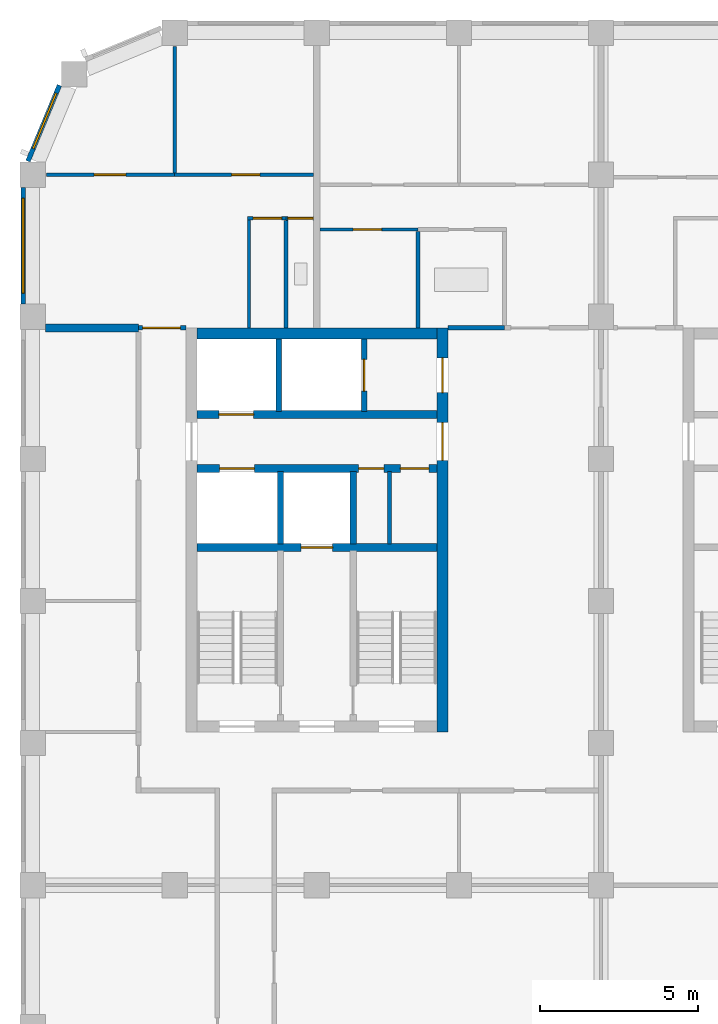
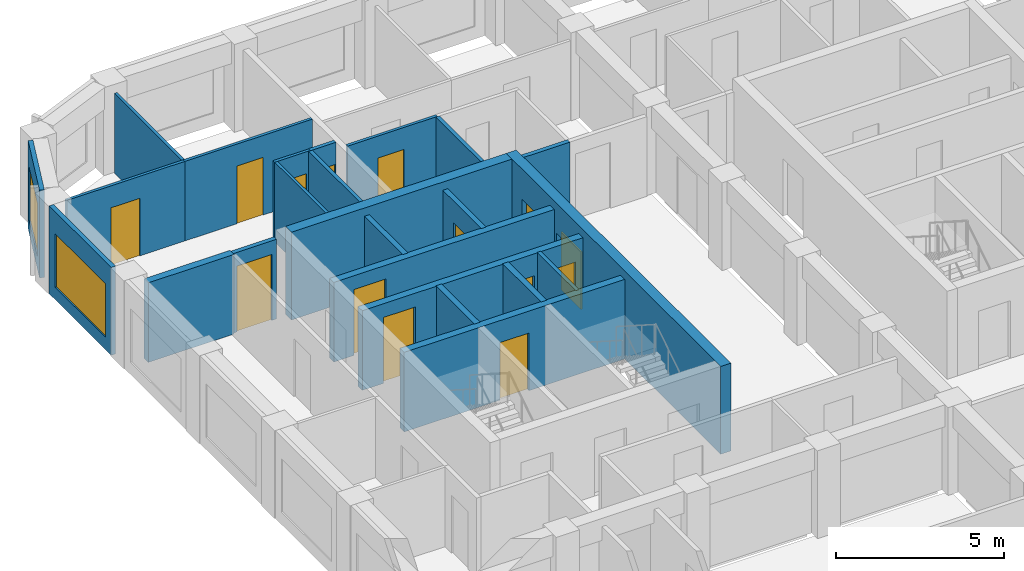
# One storey, part 5 of 9: 24 walls, 14 doors, 2 windows, 16 openings.
"""IFC4 building model written with IfcOpenShell, lengths in metres."""

from ifc_helpers import new_model, si_unit, direction, frame, frame_2d, origin, place, context, subcontext, project, spatial, rectangle, extrude, material, layer, layer_set, type_object, element, fill, save


model = new_model("IFC4")

# Units and contexts
model_context = context("Model", 3, precision=1e-05, world=origin(), true_north=direction((0.0, 1.0)))
body_context = subcontext(model_context, "Body", "Model", "MODEL_VIEW")
ifc_project = project(units=[si_unit("LENGTHUNIT", "METRE"), si_unit("AREAUNIT", "SQUARE_METRE"), si_unit("VOLUMEUNIT", "CUBIC_METRE"), si_unit("PLANEANGLEUNIT", "RADIAN"), si_unit("MASSUNIT", "GRAM", prefix="KILO")], contexts=[model_context])

# Site, building, storey
site_placement = place(None, origin())
site = spatial("IfcSite", under=ifc_project, at=site_placement, CompositionType="ELEMENT")
building_placement = place(site_placement, origin())
building = spatial("IfcBuilding", under=site, at=building_placement, Name="Girih Gate Residences", CompositionType="ELEMENT")
storey_placement = place(building_placement, frame((0.0, 0.0, 206.89501953125)))
storey = spatial("IfcBuildingStorey", under=building, at=storey_placement, Name="L57", CompositionType="ELEMENT", Elevation=206.89501953125)

# Wall
ifc_material_1 = material(Name="Gypsum board on steel studs", Category="steel")
ifc_layer_1 = layer(ifc_material_1, 0.25)
ifc_layer_set_1 = layer_set([ifc_layer_1], Name="Acoustic separating wall 250 mm")
wall_type_1 = type_object("IfcWallType", Name="Acoustic separating wall 250 mm", PredefinedType="PARTITIONING", material=ifc_layer_set_1)
wall_1_placement = place(storey_placement, frame((0.39990234375, 40.14990234375, 0.0), z_axis=(0.0, 0.0, 1.0), x_axis=(1.0, 0.0, 0.0)))
element("IfcWall", 1, at=wall_1_placement, inside=storey, type_object=wall_type_1, Name="L57 partition", PredefinedType="PARTITIONING", context=body_context, shape_type="SweptSolid", body=[
    extrude(rectangle(XDim=2.9501953125, YDim=0.25, at=frame_2d((1.47509765625, 0.0))), origin(), (0.0, 0.0, 1.0), 2.89990234375),
])

# Wall, opening, door
ifc_layer_2 = layer(ifc_material_1, 0.14990234375)
ifc_layer_set_2 = layer_set([ifc_layer_2], Name="Compartment wall 150 mm")
wall_type_2 = type_object("IfcWallType", Name="Compartment wall 150 mm", PredefinedType="PARTITIONING", material=ifc_layer_set_2)
wall_2_placement = place(storey_placement, frame((3.35009765625, 40.14990234375, 0.0), z_axis=(0.0, 0.0, 1.0), x_axis=(1.0, 0.0, 0.0)))
wall_2 = element("IfcWall", 2, at=wall_2_placement, inside=storey, type_object=wall_type_2, Name="L57 partition", PredefinedType="PARTITIONING", context=body_context, shape_type="SweptSolid", body=[
    extrude(rectangle(XDim=1.5, YDim=0.14990234375, at=frame_2d((0.75, 0.0))), origin(), (0.0, 0.0, 1.0), 2.89990234375),
])
opening_1_placement = place(wall_2_placement, frame((0.1298828125, 0.0, 0.0)))
opening_1 = element("IfcOpeningElement", 3, at=opening_1_placement, cuts=wall_2, Name="Opening A57-011", PredefinedType="OPENING", context=body_context, shape_type="SweptSolid", body=[
    extrude(rectangle(XDim=1.199951171875, YDim=2.39990234375, at=frame_2d((0.60009765625, 1.199951171875))), frame((0.0, 0.0849609375, 0.0), z_axis=(0.0, -1.0, 0.0), x_axis=(1.0, 0.0, 0.0)), (0.0, 0.0, 1.0), 0.169921875),
])
ifc_material_2 = material(Name="Timber, fire-rated core", Category="wood")
door_type_1 = type_object("IfcDoorType", Name="Villa entrance door 1200x2400 FD30S", OperationType="NOTDEFINED", PredefinedType="DOOR", material=ifc_material_2)
door_1_placement = place(opening_1_placement, origin())
door_1 = element("IfcDoor", 4, at=door_1_placement, inside=storey, type_object=door_type_1, Name="Door A57-011", OperationType="SINGLE_SWING_LEFT", OverallHeight=2.39990234375, OverallWidth=1.199951171875, PredefinedType="DOOR", context=body_context, shape_type="SweptSolid", body=[
    extrude(rectangle(XDim=1.199951171875, YDim=2.39990234375, at=frame_2d((0.60009765625, 1.199951171875))), frame((0.0, 0.02490234375, 0.0), z_axis=(0.0, -1.0, 0.0), x_axis=(1.0, 0.0, 0.0)), (0.0, 0.0, 1.0), 0.050048828125),
])
fill(opening_1, door_1)

# Walls
wall_3_placement = place(storey_placement, frame((13.14990234375, 40.14990234375, 0.0), z_axis=(0.0, 0.0, 1.0), x_axis=(1.0, 0.0, 0.0)))
element("IfcWall", 5, at=wall_3_placement, inside=storey, type_object=wall_type_2, Name="L57 partition", PredefinedType="PARTITIONING", context=body_context, shape_type="SweptSolid", body=[
    extrude(rectangle(XDim=1.800048828125, YDim=0.14990234375, at=frame_2d((0.89990234375, 0.0))), origin(), (0.0, 0.0, 1.0), 2.89990234375),
])
ifc_material_3 = material(Name="Concrete C60/75", Category="concrete")
ifc_layer_3 = layer(ifc_material_3, 0.35009765625)
ifc_layer_set_3 = layer_set([ifc_layer_3], Name="Core wall RC 350 Concrete C60/75")
wall_type_3 = type_object("IfcWallType", Name="Core wall RC 350 Concrete C60/75", PredefinedType="SOLIDWALL", material=ifc_layer_set_3)
wall_4_placement = place(storey_placement, frame((5.199951171875, 39.97509765625, 0.0), z_axis=(0.0, 0.0, 1.0), x_axis=(1.0, 0.0, 0.0)))
element("IfcWall", 6, at=wall_4_placement, inside=storey, type_object=wall_type_3, Name="Core wall W-N L57", PredefinedType="SOLIDWALL", context=body_context, shape_type="SweptSolid", body=[
    extrude(rectangle(XDim=7.60009765625, YDim=0.35009765625, at=frame_2d((3.800048828125, 0.0))), origin(), (0.0, 0.0, 1.0), 3.199951171875),
])

# Wall, openings, doors
wall_5_placement = place(storey_placement, frame((12.97509765625, 27.35009765625, 0.0), z_axis=(0.0, 0.0, 1.0), x_axis=(0.0, 1.0, 0.0)))
wall_5 = element("IfcWall", 7, at=wall_5_placement, inside=storey, type_object=wall_type_3, Name="Core wall W-E L57", PredefinedType="SOLIDWALL", context=body_context, shape_type="SweptSolid", body=[
    extrude(rectangle(XDim=12.7998046875, YDim=0.35009765625, at=frame_2d((6.39990234375, 0.0))), origin(), (0.0, 0.0, 1.0), 3.199951171875),
])
opening_2_placement = place(wall_5_placement, frame((10.75, 0.0, 0.0)))
opening_2 = element("IfcOpeningElement", 8, at=opening_2_placement, cuts=wall_5, Name="Opening D-L57-W-012", PredefinedType="OPENING", context=body_context, shape_type="SweptSolid", body=[
    extrude(rectangle(XDim=1.10009765625, YDim=2.10009765625, at=frame_2d((0.550048828125, 1.050048828125))), frame((0.0, 0.18505859375, 0.0), z_axis=(0.0, -1.0, 0.0), x_axis=(1.0, 0.0, 0.0)), (0.0, 0.0, 1.0), 0.3701171875),
])
opening_3_placement = place(wall_5_placement, frame((8.60009765625, 0.0, 0.0)))
opening_3 = element("IfcOpeningElement", 9, at=opening_3_placement, cuts=wall_5, Name="Opening D-L57-W-014", PredefinedType="OPENING", context=body_context, shape_type="SweptSolid", body=[
    extrude(rectangle(XDim=1.199951171875, YDim=2.10009765625, at=frame_2d((0.60009765625, 1.050048828125))), frame((0.0, 0.18505859375, 0.0), z_axis=(0.0, -1.0, 0.0), x_axis=(1.0, 0.0, 0.0)), (0.0, 0.0, 1.0), 0.3701171875),
])
ifc_material_4 = material(Name="Painted steel, fire-resisting", Category="steel")
door_type_2 = type_object("IfcDoorType", Name="Fire door 1100x2100", OperationType="SINGLE_SWING_LEFT", PredefinedType="DOOR", material=ifc_material_4)
door_2_placement = place(opening_2_placement, origin())
door_2 = element("IfcDoor", 10, at=door_2_placement, inside=storey, type_object=door_type_2, Name="L57 W core door ffl2-e", OperationType="SINGLE_SWING_LEFT", OverallHeight=2.10009765625, OverallWidth=1.10009765625, PredefinedType="DOOR", context=body_context, shape_type="SweptSolid", body=[
    extrude(rectangle(XDim=1.10009765625, YDim=2.10009765625, at=frame_2d((0.550048828125, 1.050048828125))), frame((0.0, 0.02490234375, 0.0), z_axis=(0.0, -1.0, 0.0), x_axis=(1.0, 0.0, 0.0)), (0.0, 0.0, 1.0), 0.050048828125),
])
fill(opening_2, door_2)
door_type_3 = type_object("IfcDoorType", Name="Fire door 1200x2100", OperationType="SINGLE_SWING_LEFT", PredefinedType="DOOR", material=ifc_material_4)
door_3_placement = place(opening_3_placement, origin())
door_3 = element("IfcDoor", 11, at=door_3_placement, inside=storey, type_object=door_type_3, Name="L57 W core door ll-e", OperationType="SINGLE_SWING_LEFT", OverallHeight=2.10009765625, OverallWidth=1.199951171875, PredefinedType="DOOR", context=body_context, shape_type="SweptSolid", body=[
    extrude(rectangle(XDim=1.199951171875, YDim=2.10009765625, at=frame_2d((0.60009765625, 1.050048828125))), frame((0.0, 0.02490234375, 0.0), z_axis=(0.0, -1.0, 0.0), x_axis=(1.0, 0.0, 0.0)), (0.0, 0.0, 1.0), 0.050048828125),
])
fill(opening_3, door_3)

# Wall, opening, door
ifc_material_5 = material(Name="Concrete C40/50", Category="concrete")
ifc_layer_4 = layer(ifc_material_5, 0.25)
ifc_layer_set_4 = layer_set([ifc_layer_4], Name="Lift shaft wall 250")
wall_type_4 = type_object("IfcWallType", Name="Lift shaft wall 250", PredefinedType="SOLIDWALL", material=ifc_layer_set_4)
wall_6_placement = place(storey_placement, frame((5.199951171875, 33.199951171875, 0.0), z_axis=(0.0, 0.0, 1.0), x_axis=(1.0, 0.0, 0.0)))
wall_6 = element("IfcWall", 12, at=wall_6_placement, inside=storey, type_object=wall_type_4, Name="L57 W core wall H1", PredefinedType="SOLIDWALL", context=body_context, shape_type="SweptSolid", body=[
    extrude(rectangle(XDim=7.60009765625, YDim=0.25, at=frame_2d((3.800048828125, 0.0))), origin(), (0.0, 0.0, 1.0), 2.89990234375),
])
opening_4_placement = place(wall_6_placement, frame((3.300048828125, 0.0, 0.0)))
opening_4 = element("IfcOpeningElement", 13, at=opening_4_placement, cuts=wall_6, Name="Opening D-L57-W-006", PredefinedType="OPENING", context=body_context, shape_type="SweptSolid", body=[
    extrude(rectangle(XDim=1.0, YDim=2.10009765625, at=frame_2d((0.5, 1.050048828125))), frame((0.0, 0.135009765625, 0.0), z_axis=(0.0, -1.0, 0.0), x_axis=(1.0, 0.0, 0.0)), (0.0, 0.0, 1.0), 0.27001953125),
])
ifc_material_6 = material(Name="Stainless steel, fire-resisting", Category="steel")
door_type_4 = type_object("IfcDoorType", Name="Firefighting lift landing door 1000x2100", OperationType="SLIDING_TO_LEFT", PredefinedType="DOOR", material=ifc_material_6)
door_4_placement = place(opening_4_placement, origin())
door_4 = element("IfcDoor", 14, at=door_4_placement, inside=storey, type_object=door_type_4, Name="L57 lift FF-W landing door", OperationType="SLIDING_TO_LEFT", OverallHeight=2.10009765625, OverallWidth=1.0, PredefinedType="DOOR", context=body_context, shape_type="SweptSolid", body=[
    extrude(rectangle(XDim=1.0, YDim=2.10009765625, at=frame_2d((0.5, 1.050048828125))), frame((0.0, 0.02490234375, 0.0), z_axis=(0.0, -1.0, 0.0), x_axis=(1.0, 0.0, 0.0)), (0.0, 0.0, 1.0), 0.050048828125),
])
fill(opening_4, door_4)

# Wall, openings, doors
wall_7_placement = place(storey_placement, frame((5.199951171875, 35.699951171875, 0.0), z_axis=(0.0, 0.0, 1.0), x_axis=(1.0, 0.0, 0.0)))
wall_7 = element("IfcWall", 15, at=wall_7_placement, inside=storey, type_object=wall_type_4, Name="L57 W core wall H2", PredefinedType="SOLIDWALL", context=body_context, shape_type="SweptSolid", body=[
    extrude(rectangle(XDim=7.60009765625, YDim=0.25, at=frame_2d((3.800048828125, 0.0))), origin(), (0.0, 0.0, 1.0), 2.89990234375),
])
opening_5_placement = place(wall_7_placement, frame((0.72509765625, 0.0, 0.0)))
opening_5 = element("IfcOpeningElement", 16, at=opening_5_placement, cuts=wall_7, Name="Opening D-L57-W-005", PredefinedType="OPENING", context=body_context, shape_type="SweptSolid", body=[
    extrude(rectangle(XDim=1.10009765625, YDim=2.39990234375, at=frame_2d((0.550048828125, 1.199951171875))), frame((0.0, 0.135009765625, 0.0), z_axis=(0.0, -1.0, 0.0), x_axis=(1.0, 0.0, 0.0)), (0.0, 0.0, 1.0), 0.27001953125),
])
opening_6_placement = place(wall_7_placement, frame((5.125, 0.0, 0.0)))
opening_6 = element("IfcOpeningElement", 17, at=opening_6_placement, cuts=wall_7, Name="Opening D-L57-W-007", PredefinedType="OPENING", context=body_context, shape_type="SweptSolid", body=[
    extrude(rectangle(XDim=0.800048828125, YDim=2.10009765625, at=frame_2d((0.39990234375, 1.050048828125))), frame((0.0, 0.135009765625, 0.0), z_axis=(0.0, -1.0, 0.0), x_axis=(1.0, 0.0, 0.0)), (0.0, 0.0, 1.0), 0.27001953125),
])
opening_7_placement = place(wall_7_placement, frame((6.449951171875, 0.0, 0.0)))
opening_7 = element("IfcOpeningElement", 18, at=opening_7_placement, cuts=wall_7, Name="Opening D-L57-W-008", PredefinedType="OPENING", context=body_context, shape_type="SweptSolid", body=[
    extrude(rectangle(XDim=0.89990234375, YDim=2.10009765625, at=frame_2d((0.449951171875, 1.050048828125))), frame((0.0, 0.135009765625, 0.0), z_axis=(0.0, -1.0, 0.0), x_axis=(1.0, 0.0, 0.0)), (0.0, 0.0, 1.0), 0.27001953125),
])
door_type_5 = type_object("IfcDoorType", Name="Fire door 800x2100", OperationType="SINGLE_SWING_LEFT", PredefinedType="DOOR", material=ifc_material_4)
door_5_placement = place(opening_6_placement, origin())
door_5 = element("IfcDoor", 19, at=door_5_placement, inside=storey, type_object=door_type_5, Name="L57 W electrical room door", OperationType="SINGLE_SWING_LEFT", OverallHeight=2.10009765625, OverallWidth=0.800048828125, PredefinedType="DOOR", context=body_context, shape_type="SweptSolid", body=[
    extrude(rectangle(XDim=0.800048828125, YDim=2.10009765625, at=frame_2d((0.39990234375, 1.050048828125))), frame((0.0, 0.02490234375, 0.0), z_axis=(0.0, -1.0, 0.0), x_axis=(1.0, 0.0, 0.0)), (0.0, 0.0, 1.0), 0.050048828125),
])
fill(opening_6, door_5)
door_type_6 = type_object("IfcDoorType", Name="Fire door 900x2100", OperationType="SINGLE_SWING_LEFT", PredefinedType="DOOR", material=ifc_material_4)
door_6_placement = place(opening_7_placement, origin())
door_6 = element("IfcDoor", 20, at=door_6_placement, inside=storey, type_object=door_type_6, Name="L57 W linen store door", OperationType="SINGLE_SWING_LEFT", OverallHeight=2.10009765625, OverallWidth=0.89990234375, PredefinedType="DOOR", context=body_context, shape_type="SweptSolid", body=[
    extrude(rectangle(XDim=0.89990234375, YDim=2.10009765625, at=frame_2d((0.449951171875, 1.050048828125))), frame((0.0, 0.02490234375, 0.0), z_axis=(0.0, -1.0, 0.0), x_axis=(1.0, 0.0, 0.0)), (0.0, 0.0, 1.0), 0.050048828125),
])
fill(opening_7, door_6)
ifc_material_7 = material(Name="Stainless steel", Category="steel")
door_type_7 = type_object("IfcDoorType", Name="Lift landing door 1100x2400", OperationType="SLIDING_TO_LEFT", PredefinedType="DOOR", material=ifc_material_7)
door_7_placement = place(opening_5_placement, origin())
door_7 = element("IfcDoor", 21, at=door_7_placement, inside=storey, type_object=door_type_7, Name="L57 lift HR-W1 landing door", OperationType="SLIDING_TO_LEFT", OverallHeight=2.39990234375, OverallWidth=1.10009765625, PredefinedType="DOOR", context=body_context, shape_type="SweptSolid", body=[
    extrude(rectangle(XDim=1.10009765625, YDim=2.39990234375, at=frame_2d((0.550048828125, 1.199951171875))), frame((0.0, 0.02490234375, 0.0), z_axis=(0.0, -1.0, 0.0), x_axis=(1.0, 0.0, 0.0)), (0.0, 0.0, 1.0), 0.050048828125),
])
fill(opening_5, door_7)

# Wall, opening, door
wall_8_placement = place(storey_placement, frame((5.199951171875, 37.39990234375, 0.0), z_axis=(0.0, 0.0, 1.0), x_axis=(1.0, 0.0, 0.0)))
wall_8 = element("IfcWall", 22, at=wall_8_placement, inside=storey, type_object=wall_type_4, Name="L57 W core wall H3", PredefinedType="SOLIDWALL", context=body_context, shape_type="SweptSolid", body=[
    extrude(rectangle(XDim=7.60009765625, YDim=0.25, at=frame_2d((3.800048828125, 0.0))), origin(), (0.0, 0.0, 1.0), 2.89990234375),
])
opening_8_placement = place(wall_8_placement, frame((0.699951171875, 0.0, 0.0)))
opening_8 = element("IfcOpeningElement", 23, at=opening_8_placement, cuts=wall_8, Name="Opening D-L57-W-003", PredefinedType="OPENING", context=body_context, shape_type="SweptSolid", body=[
    extrude(rectangle(XDim=1.10009765625, YDim=2.39990234375, at=frame_2d((0.550048828125, 1.199951171875))), frame((0.0, 0.135009765625, 0.0), z_axis=(0.0, -1.0, 0.0), x_axis=(1.0, 0.0, 0.0)), (0.0, 0.0, 1.0), 0.27001953125),
])
door_8_placement = place(opening_8_placement, origin())
door_8 = element("IfcDoor", 24, at=door_8_placement, inside=storey, type_object=door_type_7, Name="L57 lift LR-W1 landing door", OperationType="SLIDING_TO_LEFT", OverallHeight=2.39990234375, OverallWidth=1.10009765625, PredefinedType="DOOR", context=body_context, shape_type="SweptSolid", body=[
    extrude(rectangle(XDim=1.10009765625, YDim=2.39990234375, at=frame_2d((0.550048828125, 1.199951171875))), frame((0.0, 0.02490234375, 0.0), z_axis=(0.0, -1.0, 0.0), x_axis=(1.0, 0.0, 0.0)), (0.0, 0.0, 1.0), 0.050048828125),
])
fill(opening_8, door_8)

ifc_layer_5 = layer(ifc_material_1, 0.10009765625)
ifc_layer_set_5 = layer_set([ifc_layer_5], Name="Partition 100 mm")
wall_type_5 = type_object("IfcWallType", Name="Partition 100 mm", PredefinedType="PARTITIONING", material=ifc_layer_set_5)
wall_9_placement = place(storey_placement, frame((4.5, 45.0, 0.0), z_axis=(0.0, 0.0, 1.0), x_axis=(1.0, 0.0, 0.0)))
wall_9 = element("IfcWall", 25, at=wall_9_placement, inside=storey, type_object=wall_type_5, Name="L57 partition", PredefinedType="PARTITIONING", context=body_context, shape_type="SweptSolid", body=[
    extrude(rectangle(XDim=4.39990234375, YDim=0.10009765625, at=frame_2d((2.199951171875, 0.0))), origin(), (0.0, 0.0, 1.0), 2.89990234375),
])
opening_9_placement = place(wall_9_placement, frame((1.800048828125, 0.0, 0.0)))
opening_9 = element("IfcOpeningElement", 26, at=opening_9_placement, cuts=wall_9, Name="Opening A57-008", PredefinedType="OPENING", context=body_context, shape_type="SweptSolid", body=[
    extrude(rectangle(XDim=0.89990234375, YDim=2.10009765625, at=frame_2d((0.449951171875, 1.050048828125))), frame((0.0, 0.06005859375, 0.0), z_axis=(0.0, -1.0, 0.0), x_axis=(1.0, 0.0, 0.0)), (0.0, 0.0, 1.0), 0.1201171875),
])
ifc_material_8 = material(Name="Timber", Category="wood")
door_type_8 = type_object("IfcDoorType", Name="Bedroom door 900x2100", OperationType="NOTDEFINED", PredefinedType="DOOR", material=ifc_material_8)
door_9_placement = place(opening_9_placement, origin())
door_9 = element("IfcDoor", 27, at=door_9_placement, inside=storey, type_object=door_type_8, Name="Door A57-008", OperationType="SINGLE_SWING_RIGHT", OverallHeight=2.10009765625, OverallWidth=0.89990234375, PredefinedType="DOOR", context=body_context, shape_type="SweptSolid", body=[
    extrude(rectangle(XDim=0.89990234375, YDim=2.10009765625, at=frame_2d((0.449951171875, 1.050048828125))), frame((0.0, 0.02490234375, 0.0), z_axis=(0.0, -1.0, 0.0), x_axis=(1.0, 0.0, 0.0)), (0.0, 0.0, 1.0), 0.050048828125),
])
fill(opening_9, door_9)

# Wall
wall_10_placement = place(storey_placement, frame((4.5, 45.050048828125, 0.0), z_axis=(0.0, 0.0, 1.0), x_axis=(0.0, 1.0, 0.0)))
element("IfcWall", 28, at=wall_10_placement, inside=storey, type_object=wall_type_5, Name="L57 partition", PredefinedType="PARTITIONING", context=body_context, shape_type="SweptSolid", body=[
    extrude(rectangle(XDim=4.01708984375, YDim=0.10009765625, at=frame_2d((2.008544921875, 0.0))), origin(), (0.0, 0.0, 1.0), 2.89990234375),
])

# Wall, opening, door
wall_11_placement = place(storey_placement, frame((8.022705078125, 43.6201171875, 0.0), z_axis=(0.0, 0.0, 1.0), x_axis=(-1.0, 0.0, 0.0)))
wall_11 = element("IfcWall", 29, at=wall_11_placement, inside=storey, type_object=wall_type_5, Name="L57 partition", PredefinedType="PARTITIONING", context=body_context, shape_type="SweptSolid", body=[
    extrude(rectangle(XDim=1.22265625, YDim=0.10009765625, at=frame_2d((0.611328125, 0.0))), origin(), (0.0, 0.0, 1.0), 2.89990234375),
])
opening_10_placement = place(wall_11_placement, frame((0.136474609375, 0.0, 0.0)))
opening_10 = element("IfcOpeningElement", 30, at=opening_10_placement, cuts=wall_11, Name="Opening A57-009", PredefinedType="OPENING", context=body_context, shape_type="SweptSolid", body=[
    extrude(rectangle(XDim=0.89990234375, YDim=2.10009765625, at=frame_2d((0.449951171875, 1.050048828125))), frame((0.0, 0.06005859375, 0.0), z_axis=(0.0, -1.0, 0.0), x_axis=(1.0, 0.0, 0.0)), (0.0, 0.0, 1.0), 0.1201171875),
])
door_type_9 = type_object("IfcDoorType", Name="Kitchen door 900x2100", OperationType="NOTDEFINED", PredefinedType="DOOR", material=ifc_material_8)
door_10_placement = place(opening_10_placement, origin())
door_10 = element("IfcDoor", 31, at=door_10_placement, inside=storey, type_object=door_type_9, Name="Door A57-009", OperationType="SINGLE_SWING_LEFT", OverallHeight=2.10009765625, OverallWidth=0.89990234375, PredefinedType="DOOR", context=body_context, shape_type="SweptSolid", body=[
    extrude(rectangle(XDim=0.89990234375, YDim=2.10009765625, at=frame_2d((0.449951171875, 1.050048828125))), frame((0.0, 0.02490234375, 0.0), z_axis=(0.0, -1.0, 0.0), x_axis=(1.0, 0.0, 0.0)), (0.0, 0.0, 1.0), 0.050048828125),
])
fill(opening_10, door_10)

# Wall
wall_12_placement = place(storey_placement, frame((6.85009765625, 40.14990234375, 0.0), z_axis=(0.0, 0.0, 1.0), x_axis=(0.0, 1.0, 0.0)))
element("IfcWall", 32, at=wall_12_placement, inside=storey, type_object=wall_type_5, Name="L57 partition", PredefinedType="PARTITIONING", context=body_context, shape_type="SweptSolid", body=[
    extrude(rectangle(XDim=3.420166015625, YDim=0.10009765625, at=frame_2d((1.7099609375, 0.0))), origin(), (0.0, 0.0, 1.0), 2.89990234375),
])

# Wall, opening, door
wall_13_placement = place(storey_placement, frame((0.432861328125, 45.0, 0.0), z_axis=(0.0, 0.0, 1.0), x_axis=(1.0, 0.0, 0.0)))
wall_13 = element("IfcWall", 33, at=wall_13_placement, inside=storey, type_object=wall_type_5, Name="L57 partition", PredefinedType="PARTITIONING", context=body_context, shape_type="SweptSolid", body=[
    extrude(rectangle(XDim=4.067138671875, YDim=0.10009765625, at=frame_2d((2.03369140625, 0.0))), origin(), (0.0, 0.0, 1.0), 2.89990234375),
])
opening_11_placement = place(wall_13_placement, frame((1.51708984375, 0.0, 0.0)))
opening_11 = element("IfcOpeningElement", 34, at=opening_11_placement, cuts=wall_13, Name="Opening A57-010", PredefinedType="OPENING", context=body_context, shape_type="SweptSolid", body=[
    extrude(rectangle(XDim=1.0, YDim=2.10009765625, at=frame_2d((0.5, 1.050048828125))), frame((0.0, 0.06005859375, 0.0), z_axis=(0.0, -1.0, 0.0), x_axis=(1.0, 0.0, 0.0)), (0.0, 0.0, 1.0), 0.1201171875),
])
door_type_10 = type_object("IfcDoorType", Name="Living room door 1000x2100", OperationType="NOTDEFINED", PredefinedType="DOOR", material=ifc_material_8)
door_11_placement = place(opening_11_placement, origin())
door_11 = element("IfcDoor", 35, at=door_11_placement, inside=storey, type_object=door_type_10, Name="Door A57-010", OperationType="SINGLE_SWING_LEFT", OverallHeight=2.10009765625, OverallWidth=1.0, PredefinedType="DOOR", context=body_context, shape_type="SweptSolid", body=[
    extrude(rectangle(XDim=1.0, YDim=2.10009765625, at=frame_2d((0.5, 1.050048828125))), frame((0.0, 0.02490234375, 0.0), z_axis=(0.0, -1.0, 0.0), x_axis=(1.0, 0.0, 0.0)), (0.0, 0.0, 1.0), 0.050048828125),
])
fill(opening_11, door_11)

wall_14_placement = place(storey_placement, frame((12.200927734375, 43.260009765625, 0.0), z_axis=(0.0, 0.0, 1.0), x_axis=(-1.0, 0.0, 0.0)))
wall_14 = element("IfcWall", 36, at=wall_14_placement, inside=storey, type_object=wall_type_5, Name="L57 partition", PredefinedType="PARTITIONING", context=body_context, shape_type="SweptSolid", body=[
    extrude(rectangle(XDim=3.100830078125, YDim=0.10009765625, at=frame_2d((1.55029296875, 0.0))), origin(), (0.0, 0.0, 1.0), 2.89990234375),
])
opening_12_placement = place(wall_14_placement, frame((1.150390625, 0.0, 0.0)))
opening_12 = element("IfcOpeningElement", 37, at=opening_12_placement, cuts=wall_14, Name="Opening A57-014", PredefinedType="OPENING", context=body_context, shape_type="SweptSolid", body=[
    extrude(rectangle(XDim=0.89990234375, YDim=2.10009765625, at=frame_2d((0.449951171875, 1.050048828125))), frame((0.0, 0.06005859375, 0.0), z_axis=(0.0, -1.0, 0.0), x_axis=(1.0, 0.0, 0.0)), (0.0, 0.0, 1.0), 0.1201171875),
])
door_12_placement = place(opening_12_placement, origin())
door_12 = element("IfcDoor", 38, at=door_12_placement, inside=storey, type_object=door_type_9, Name="Door A57-014", OperationType="SINGLE_SWING_RIGHT", OverallHeight=2.10009765625, OverallWidth=0.89990234375, PredefinedType="DOOR", context=body_context, shape_type="SweptSolid", body=[
    extrude(rectangle(XDim=0.89990234375, YDim=2.10009765625, at=frame_2d((0.449951171875, 1.050048828125))), frame((0.0, 0.02490234375, 0.0), z_axis=(0.0, -1.0, 0.0), x_axis=(1.0, 0.0, 0.0)), (0.0, 0.0, 1.0), 0.050048828125),
])
fill(opening_12, door_12)

# Wall, opening, window
ifc_material_9 = material(Name="Precast concrete C50/60", Category="concrete")
ifc_layer_6 = layer(ifc_material_9, 0.050048828125, Name="Outer leaf")
ifc_material_10 = material(Name="Rigid PIR insulation")
ifc_layer_7 = layer(ifc_material_10, 0.06005859375, Name="Insulation")
ifc_material_11 = material(Name="Precast concrete C40/50", Category="concrete")
ifc_layer_8 = layer(ifc_material_11, 0.0400390625, Name="Inner leaf")
ifc_layer_set_6 = layer_set([ifc_layer_6, ifc_layer_7, ifc_layer_8], Name="Precast concrete C50/60 external wall 150")
wall_type_6 = type_object("IfcWallType", Name="Precast concrete C50/60 external wall 150", PredefinedType="SOLIDWALL", material=ifc_layer_set_6)
wall_15_placement = place(storey_placement, frame((-0.147216796875, 45.4287109375, 0.0), z_axis=(0.0, 0.0, 1.0), x_axis=(0.382669406082, 0.923885342263, 0.0)))
wall_15 = element("IfcWall", 39, at=wall_15_placement, inside=storey, type_object=wall_type_6, Name="External wall NW0013_0482.0", PredefinedType="SOLIDWALL", context=body_context, shape_type="SweptSolid", body=[
    extrude(rectangle(XDim=2.602294921875, YDim=0.14990234375, at=frame_2d((1.30126953125, 0.0))), origin(), (0.0, 0.0, 1.0), 3.199951171875),
])
opening_13_placement = place(wall_15_placement, frame((0.432373046875, 0.0, 0.449951171875)))
opening_13 = element("IfcOpeningElement", 40, at=opening_13_placement, cuts=wall_15, Name="Opening W-2G", PredefinedType="OPENING", context=body_context, shape_type="SweptSolid", body=[
    extrude(rectangle(XDim=1.89990234375, YDim=1.949951171875, at=frame_2d((0.949951171875, 0.97509765625))), frame((0.0, 0.0849609375, 0.0), z_axis=(0.0, -1.0, 0.0), x_axis=(1.0, 0.0, 0.0)), (0.0, 0.0, 1.0), 0.169921875),
])
ifc_material_12 = material(Name="Double glazing in aluminium frame", Category="aluminium")
window_type_1 = type_object("IfcWindowType", Name="Window W-2G 1900x1950", PartitioningType="SINGLE_PANEL", PredefinedType="WINDOW", material=ifc_material_12)
window_1_placement = place(opening_13_placement, origin())
window_1 = element("IfcWindow", 41, at=window_1_placement, inside=storey, type_object=window_type_1, Name="Window W-2G NW0013_0482.0", OverallHeight=1.949951171875, OverallWidth=1.89990234375, PartitioningType="SINGLE_PANEL", PredefinedType="WINDOW", context=body_context, shape_type="SweptSolid", body=[
    extrude(rectangle(XDim=1.89990234375, YDim=1.949951171875, at=frame_2d((0.949951171875, 0.97509765625))), frame((0.0, 0.030029296875, 0.0), z_axis=(0.0, -1.0, 0.0), x_axis=(1.0, 0.0, 0.0)), (0.0, 0.0, 1.0), 0.06005859375),
])
fill(opening_13, window_1)

wall_16_placement = place(storey_placement, frame((-0.300048828125, 40.89990234375, 0.0), z_axis=(0.0, 0.0, 1.0), x_axis=(0.0, 1.0, 0.0)))
wall_16 = element("IfcWall", 42, at=wall_16_placement, inside=storey, type_object=wall_type_6, Name="External wall W0000_0450.0", PredefinedType="SOLIDWALL", context=body_context, shape_type="SweptSolid", body=[
    extrude(rectangle(XDim=3.7001953125, YDim=0.14990234375, at=frame_2d((1.85009765625, 0.0))), origin(), (0.0, 0.0, 1.0), 3.199951171875),
])
opening_14_placement = place(wall_16_placement, frame((0.35009765625, 0.0, 0.449951171875)))
opening_14 = element("IfcOpeningElement", 43, at=opening_14_placement, cuts=wall_16, Name="Opening W-1D", PredefinedType="OPENING", context=body_context, shape_type="SweptSolid", body=[
    extrude(rectangle(XDim=3.0, YDim=1.949951171875, at=frame_2d((1.5, 0.97509765625))), frame((0.0, 0.0849609375, 0.0), z_axis=(0.0, -1.0, 0.0), x_axis=(1.0, 0.0, 0.0)), (0.0, 0.0, 1.0), 0.169921875),
])
window_type_2 = type_object("IfcWindowType", Name="Window W-1D 3000x1950", PartitioningType="SINGLE_PANEL", PredefinedType="WINDOW", material=ifc_material_12)
window_2_placement = place(opening_14_placement, origin())
window_2 = element("IfcWindow", 44, at=window_2_placement, inside=storey, type_object=window_type_2, Name="Window W-1D W0000_0450.0", OverallHeight=1.949951171875, OverallWidth=3.0, PartitioningType="SINGLE_PANEL", PredefinedType="WINDOW", context=body_context, shape_type="SweptSolid", body=[
    extrude(rectangle(XDim=3.0, YDim=1.949951171875, at=frame_2d((1.5, 0.97509765625))), frame((0.0, 0.030029296875, 0.0), z_axis=(0.0, -1.0, 0.0), x_axis=(1.0, 0.0, 0.0)), (0.0, 0.0, 1.0), 0.06005859375),
])
fill(opening_14, window_2)

# Wall
ifc_layer_9 = layer(ifc_material_5, 0.175048828125)
ifc_layer_set_7 = layer_set([ifc_layer_9], Name="Riser shaft wall 175")
wall_type_7 = type_object("IfcWallType", Name="Riser shaft wall 175", PredefinedType="SOLIDWALL", material=ifc_layer_set_7)
wall_17_placement = place(storey_placement, frame((7.800048828125, 37.5, 0.0), z_axis=(0.0, 0.0, 1.0), x_axis=(0.0, 1.0, 0.0)))
element("IfcWall", 45, at=wall_17_placement, inside=storey, type_object=wall_type_7, Name="L57 W core wall V1c", PredefinedType="SOLIDWALL", context=body_context, shape_type="SweptSolid", body=[
    extrude(rectangle(XDim=2.300048828125, YDim=0.175048828125, at=frame_2d((1.14990234375, 0.0))), origin(), (0.0, 0.0, 1.0), 2.89990234375),
])

# Wall, opening, door
wall_18_placement = place(storey_placement, frame((10.5, 37.5, 0.0), z_axis=(0.0, 0.0, 1.0), x_axis=(0.0, 1.0, 0.0)))
wall_18 = element("IfcWall", 46, at=wall_18_placement, inside=storey, type_object=wall_type_7, Name="L57 W core wall V2c", PredefinedType="SOLIDWALL", context=body_context, shape_type="SweptSolid", body=[
    extrude(rectangle(XDim=2.300048828125, YDim=0.175048828125, at=frame_2d((1.14990234375, 0.0))), origin(), (0.0, 0.0, 1.0), 2.89990234375),
])
opening_15_placement = place(wall_18_placement, frame((0.64990234375, 0.0, 0.0)))
opening_15 = element("IfcOpeningElement", 47, at=opening_15_placement, cuts=wall_18, Name="Opening D-L57-W-004", PredefinedType="OPENING", context=body_context, shape_type="SweptSolid", body=[
    extrude(rectangle(XDim=1.0, YDim=2.10009765625, at=frame_2d((0.5, 1.050048828125))), frame((0.0, 0.097412109375, 0.0), z_axis=(0.0, -1.0, 0.0), x_axis=(1.0, 0.0, 0.0)), (0.0, 0.0, 1.0), 0.195068359375),
])
door_13_placement = place(opening_15_placement, origin())
door_13 = element("IfcDoor", 48, at=door_13_placement, inside=storey, type_object=door_type_4, Name="L57 lift FF-W2 landing door", OperationType="SLIDING_TO_LEFT", OverallHeight=2.10009765625, OverallWidth=1.0, PredefinedType="DOOR", context=body_context, shape_type="SweptSolid", body=[
    extrude(rectangle(XDim=1.0, YDim=2.10009765625, at=frame_2d((0.5, 1.050048828125))), frame((0.0, 0.02490234375, 0.0), z_axis=(0.0, -1.0, 0.0), x_axis=(1.0, 0.0, 0.0)), (0.0, 0.0, 1.0), 0.050048828125),
])
fill(opening_15, door_13)

# Walls
ifc_layer_10 = layer(ifc_material_5, 0.199951171875)
ifc_layer_set_8 = layer_set([ifc_layer_10], Name="Shaft wall 200")
wall_type_8 = type_object("IfcWallType", Name="Shaft wall 200", PredefinedType="SOLIDWALL", material=ifc_layer_set_8)
for number, where, z_axis, x_axis, name in (
    (49, (7.85009765625, 33.300048828125, 0.0), (0.0, 0.0, 1.0), (0.0, 1.0, 0.0), "L57 W core wall V1b"),
    (50, (10.14990234375, 33.300048828125, 0.0), (0.0, 0.0, 1.0), (0.0, 1.0, 0.0), "L57 W core wall V2b"),
):
    element("IfcWall", number, at=place(storey_placement, frame(where, z_axis=z_axis, x_axis=x_axis)), inside=storey, type_object=wall_type_8, Name=name, PredefinedType="SOLIDWALL", context=body_context, shape_type="SweptSolid", body=[
        extrude(rectangle(XDim=2.300048828125, YDim=0.199951171875, at=frame_2d((1.14990234375, 0.0))), origin(), (0.0, 0.0, 1.0), 2.89990234375),
    ])
ifc_material_13 = material(Name="Calcium silicate blockwork", Category="masonry")
ifc_layer_11 = layer(ifc_material_13, 0.125)
ifc_layer_set_9 = layer_set([ifc_layer_11], Name="Store partition 125")
wall_type_9 = type_object("IfcWallType", Name="Store partition 125", PredefinedType="PARTITIONING", material=ifc_layer_set_9)
wall_19_placement = place(storey_placement, frame((11.300048828125, 33.300048828125, 0.0), z_axis=(0.0, 0.0, 1.0), x_axis=(0.0, 1.0, 0.0)))
element("IfcWall", 51, at=wall_19_placement, inside=storey, type_object=wall_type_9, Name="L57 W core wall SHR2", PredefinedType="PARTITIONING", context=body_context, shape_type="SweptSolid", body=[
    extrude(rectangle(XDim=2.300048828125, YDim=0.125, at=frame_2d((1.14990234375, 0.0))), origin(), (0.0, 0.0, 1.0), 2.89990234375),
])

# Wall, opening, door
ifc_layer_12 = layer(ifc_material_1, 0.125)
ifc_layer_set_10 = layer_set([ifc_layer_12], Name="Wet room wall 125 mm")
wall_type_10 = type_object("IfcWallType", Name="Wet room wall 125 mm", PredefinedType="PARTITIONING", material=ifc_layer_set_10)
wall_20_placement = place(storey_placement, frame((8.89990234375, 43.6201171875, 0.0), z_axis=(0.0, 0.0, 1.0), x_axis=(-1.0, 0.0, 0.0)))
wall_20 = element("IfcWall", 52, at=wall_20_placement, inside=storey, type_object=wall_type_10, Name="L57 partition", PredefinedType="PARTITIONING", context=body_context, shape_type="SweptSolid", body=[
    extrude(rectangle(XDim=0.877197265625, YDim=0.125, at=frame_2d((0.4384765625, 0.0))), origin(), (0.0, 0.0, 1.0), 2.89990234375),
])
opening_16_placement = place(wall_20_placement, frame((0.02001953125, 0.0, 0.0)))
opening_16 = element("IfcOpeningElement", 53, at=opening_16_placement, cuts=wall_20, Name="Opening A57-007", PredefinedType="OPENING", context=body_context, shape_type="SweptSolid", body=[
    extrude(rectangle(XDim=0.800048828125, YDim=2.10009765625, at=frame_2d((0.39990234375, 1.050048828125))), frame((0.0, 0.072509765625, 0.0), z_axis=(0.0, -1.0, 0.0), x_axis=(1.0, 0.0, 0.0)), (0.0, 0.0, 1.0), 0.14501953125),
])
door_type_11 = type_object("IfcDoorType", Name="Bathroom door 800x2100", OperationType="NOTDEFINED", PredefinedType="DOOR", material=ifc_material_8)
door_14_placement = place(opening_16_placement, origin())
door_14 = element("IfcDoor", 54, at=door_14_placement, inside=storey, type_object=door_type_11, Name="Door A57-007", OperationType="SINGLE_SWING_LEFT", OverallHeight=2.10009765625, OverallWidth=0.800048828125, PredefinedType="DOOR", context=body_context, shape_type="SweptSolid", body=[
    extrude(rectangle(XDim=0.800048828125, YDim=2.10009765625, at=frame_2d((0.39990234375, 1.050048828125))), frame((0.0, 0.02490234375, 0.0), z_axis=(0.0, -1.0, 0.0), x_axis=(1.0, 0.0, 0.0)), (0.0, 0.0, 1.0), 0.050048828125),
])
fill(opening_16, door_14)

# Walls
wall_21_placement = place(storey_placement, frame((8.02294921875, 40.14990234375, 0.0), z_axis=(0.0, 0.0, 1.0), x_axis=(0.0, 1.0, 0.0)))
element("IfcWall", 55, at=wall_21_placement, inside=storey, type_object=wall_type_10, Name="L57 partition", PredefinedType="PARTITIONING", context=body_context, shape_type="SweptSolid", body=[
    extrude(rectangle(XDim=3.40771484375, YDim=0.125, at=frame_2d((1.703857421875, 0.0))), origin(), (0.0, 0.0, 1.0), 2.89990234375),
])
wall_22_placement = place(storey_placement, frame((12.200927734375, 40.14990234375, 0.0), z_axis=(0.0, 0.0, 1.0), x_axis=(0.0, 1.0, 0.0)))
element("IfcWall", 56, at=wall_22_placement, inside=storey, type_object=wall_type_10, Name="L57 partition", PredefinedType="PARTITIONING", context=body_context, shape_type="SweptSolid", body=[
    extrude(rectangle(XDim=3.047607421875, YDim=0.125, at=frame_2d((1.52392578125, 0.0))), origin(), (0.0, 0.0, 1.0), 2.89990234375),
])

save(model, "model.ifc")
